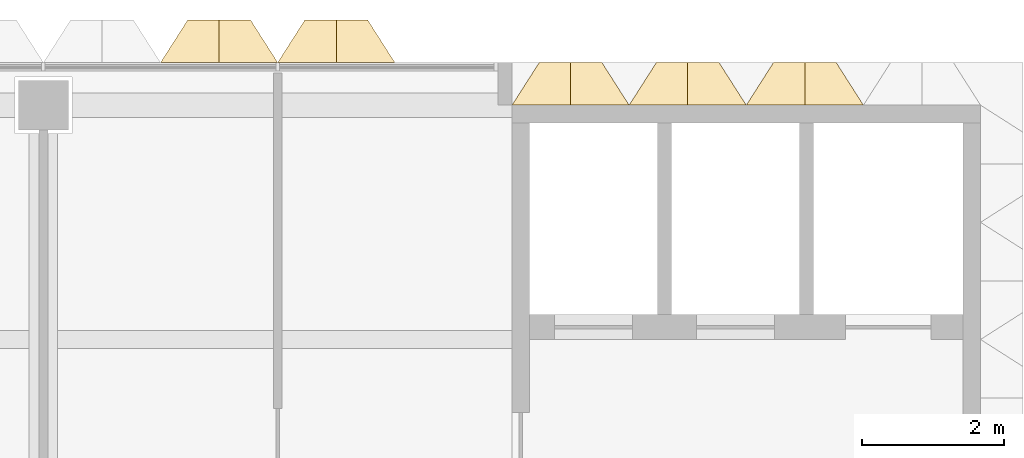
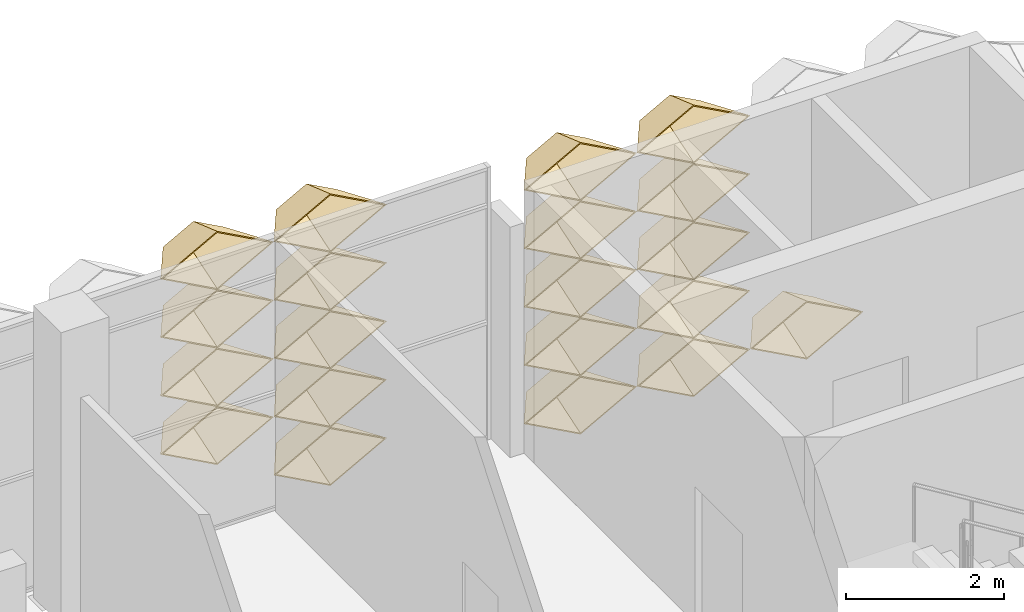
# One storey, part 27 of 29: 20 coverings.
"""IFC4 building model written with IfcOpenShell, lengths in metres."""

from ifc_helpers import new_model, entity, si_unit, direction, frame, origin, place, context, subcontext, project, spatial, material, layer, layer_set, type_object, element, save


model = new_model("IFC4")

# Units and contexts
model_context = context("Model", 3, precision=1e-05, world=origin(), true_north=direction((0.0, 1.0)))
body_context = subcontext(model_context, "Body", "Model", "MODEL_VIEW")
ifc_project = project(units=[si_unit("LENGTHUNIT", "METRE"), si_unit("AREAUNIT", "SQUARE_METRE"), si_unit("VOLUMEUNIT", "CUBIC_METRE"), si_unit("PLANEANGLEUNIT", "RADIAN"), si_unit("MASSUNIT", "GRAM", prefix="KILO")], contexts=[model_context])

# Site, building, storey
site_placement = place(None, origin())
site = spatial("IfcSite", under=ifc_project, at=site_placement, CompositionType="ELEMENT")
building_placement = place(site_placement, origin())
building = spatial("IfcBuilding", under=site, at=building_placement, Name="Lantern Court Research Institute", CompositionType="ELEMENT")
storey_placement = place(building_placement, frame((0.0, 0.0, 32.39990234375)))
storey = spatial("IfcBuildingStorey", under=building, at=storey_placement, Name="L07", CompositionType="ELEMENT", Elevation=32.39990234375)

# Coverings
ifc_material = material(Name="Anodised aluminium", Category="aluminium")
ifc_layer = layer(ifc_material, 0.01611328125)
ifc_layer_set = layer_set([ifc_layer], Name="Anodised aluminium")
covering_type = type_object("IfcCoveringType", Name="Fin cassette 1650 x 900 x 600 aluminium", PredefinedType="CLADDING", material=ifc_layer_set)
covering_1_placement = place(storey_placement, frame((73.425048828125, 23.10009765625, 0.4501953125), z_axis=(0.0, 1.0, 0.0), x_axis=(-1.0, 0.0, 0.0)))
cartesian_point_1 = entity("IfcCartesianPoint", [0.824951171875, 0.0])
cartesian_point_2 = entity("IfcCartesianPoint", [0.79150390625, 0.0])
cartesian_point_3 = entity("IfcCartesianPoint", [0.44189453125, 0.0])
cartesian_point_4 = entity("IfcCartesianPoint", [0.43359375, 0.0])
element("IfcCovering", 1, at=covering_1_placement, inside=storey, type_object=covering_type, Name="Fin cassette V5N-L07 1.45", PredefinedType="CLADDING", context=body_context, shape_type="SweptSolid", body=[
    entity("IfcExtrudedAreaSolidTapered", entity("IfcArbitraryProfileDefWithVoids", "AREA", None, entity("IfcPolyline", [cartesian_point_1, entity("IfcCartesianPoint", [0.0, 0.449951171875]), entity("IfcCartesianPoint", [-0.824951171875, 0.0]), entity("IfcCartesianPoint", [0.0, -0.449951171875]), cartesian_point_1]), [entity("IfcPolyline", [cartesian_point_2, entity("IfcCartesianPoint", [0.0, 0.431884765625]), entity("IfcCartesianPoint", [-0.79150390625, 0.0]), entity("IfcCartesianPoint", [0.0, -0.431884765625]), cartesian_point_2])]), entity("IfcAxis2Placement3D", entity("IfcCartesianPoint", [0.0, 0.0, 0.0])), entity("IfcDirection", [0.0, 0.0, 1.0]), 0.60009765625, entity("IfcArbitraryProfileDefWithVoids", "AREA", None, entity("IfcPolyline", [cartesian_point_3, entity("IfcCartesianPoint", [0.0, 0.240966796875]), entity("IfcCartesianPoint", [-0.44189453125, 0.0]), entity("IfcCartesianPoint", [0.0, -0.240966796875]), cartesian_point_3]), [entity("IfcPolyline", [cartesian_point_4, entity("IfcCartesianPoint", [0.0, 0.236572265625]), entity("IfcCartesianPoint", [-0.43359375, 0.0]), entity("IfcCartesianPoint", [0.0, -0.236572265625]), cartesian_point_4])])),
])
covering_2_placement = place(storey_placement, frame((75.074951171875, 23.10009765625, 0.4501953125), z_axis=(0.0, 1.0, 0.0), x_axis=(-1.0, 0.0, 0.0)))
cartesian_point_5 = entity("IfcCartesianPoint", [0.824951171875, 0.0])
cartesian_point_6 = entity("IfcCartesianPoint", [0.79150390625, 0.0])
cartesian_point_7 = entity("IfcCartesianPoint", [0.44189453125, 0.0])
cartesian_point_8 = entity("IfcCartesianPoint", [0.43359375, 0.0])
element("IfcCovering", 2, at=covering_2_placement, inside=storey, type_object=covering_type, Name="Fin cassette V5N-L07 1.46", PredefinedType="CLADDING", context=body_context, shape_type="SweptSolid", body=[
    entity("IfcExtrudedAreaSolidTapered", entity("IfcArbitraryProfileDefWithVoids", "AREA", None, entity("IfcPolyline", [cartesian_point_5, entity("IfcCartesianPoint", [0.0, 0.449951171875]), entity("IfcCartesianPoint", [-0.824951171875, 0.0]), entity("IfcCartesianPoint", [0.0, -0.449951171875]), cartesian_point_5]), [entity("IfcPolyline", [cartesian_point_6, entity("IfcCartesianPoint", [0.0, 0.431884765625]), entity("IfcCartesianPoint", [-0.79150390625, 0.0]), entity("IfcCartesianPoint", [0.0, -0.431884765625]), cartesian_point_6])]), entity("IfcAxis2Placement3D", entity("IfcCartesianPoint", [0.0, 0.0, 0.0])), entity("IfcDirection", [0.0, 0.0, 1.0]), 0.60009765625, entity("IfcArbitraryProfileDefWithVoids", "AREA", None, entity("IfcPolyline", [cartesian_point_7, entity("IfcCartesianPoint", [0.0, 0.240966796875]), entity("IfcCartesianPoint", [-0.44189453125, 0.0]), entity("IfcCartesianPoint", [0.0, -0.240966796875]), cartesian_point_7]), [entity("IfcPolyline", [cartesian_point_8, entity("IfcCartesianPoint", [0.0, 0.236572265625]), entity("IfcCartesianPoint", [-0.43359375, 0.0]), entity("IfcCartesianPoint", [0.0, -0.236572265625]), cartesian_point_8])])),
])
covering_3_placement = place(storey_placement, frame((76.72509765625, 23.10009765625, 0.4501953125), z_axis=(0.0, 1.0, 0.0), x_axis=(-1.0, 0.0, 0.0)))
cartesian_point_9 = entity("IfcCartesianPoint", [0.824951171875, 0.0])
cartesian_point_10 = entity("IfcCartesianPoint", [0.79150390625, 0.0])
cartesian_point_11 = entity("IfcCartesianPoint", [0.44189453125, 0.0])
cartesian_point_12 = entity("IfcCartesianPoint", [0.43359375, 0.0])
element("IfcCovering", 3, at=covering_3_placement, inside=storey, type_object=covering_type, Name="Fin cassette V5N-L07 1.47", PredefinedType="CLADDING", context=body_context, shape_type="SweptSolid", body=[
    entity("IfcExtrudedAreaSolidTapered", entity("IfcArbitraryProfileDefWithVoids", "AREA", None, entity("IfcPolyline", [cartesian_point_9, entity("IfcCartesianPoint", [0.0, 0.449951171875]), entity("IfcCartesianPoint", [-0.824951171875, 0.0]), entity("IfcCartesianPoint", [0.0, -0.449951171875]), cartesian_point_9]), [entity("IfcPolyline", [cartesian_point_10, entity("IfcCartesianPoint", [0.0, 0.431884765625]), entity("IfcCartesianPoint", [-0.79150390625, 0.0]), entity("IfcCartesianPoint", [0.0, -0.431884765625]), cartesian_point_10])]), entity("IfcAxis2Placement3D", entity("IfcCartesianPoint", [0.0, 0.0, 0.0])), entity("IfcDirection", [0.0, 0.0, 1.0]), 0.60009765625, entity("IfcArbitraryProfileDefWithVoids", "AREA", None, entity("IfcPolyline", [cartesian_point_11, entity("IfcCartesianPoint", [0.0, 0.240966796875]), entity("IfcCartesianPoint", [-0.44189453125, 0.0]), entity("IfcCartesianPoint", [0.0, -0.240966796875]), cartesian_point_11]), [entity("IfcPolyline", [cartesian_point_12, entity("IfcCartesianPoint", [0.0, 0.236572265625]), entity("IfcCartesianPoint", [-0.43359375, 0.0]), entity("IfcCartesianPoint", [0.0, -0.236572265625]), cartesian_point_12])])),
])
covering_4_placement = place(storey_placement, frame((73.425048828125, 23.10009765625, 1.35009765625), z_axis=(0.0, 1.0, 0.0), x_axis=(-1.0, 0.0, 0.0)))
cartesian_point_13 = entity("IfcCartesianPoint", [0.824951171875, 0.0])
cartesian_point_14 = entity("IfcCartesianPoint", [0.79150390625, 0.0])
cartesian_point_15 = entity("IfcCartesianPoint", [0.44189453125, 0.0])
cartesian_point_16 = entity("IfcCartesianPoint", [0.43359375, 0.0])
element("IfcCovering", 4, at=covering_4_placement, inside=storey, type_object=covering_type, Name="Fin cassette V5N-L07 2.45", PredefinedType="CLADDING", context=body_context, shape_type="SweptSolid", body=[
    entity("IfcExtrudedAreaSolidTapered", entity("IfcArbitraryProfileDefWithVoids", "AREA", None, entity("IfcPolyline", [cartesian_point_13, entity("IfcCartesianPoint", [0.0, 0.449951171875]), entity("IfcCartesianPoint", [-0.824951171875, 0.0]), entity("IfcCartesianPoint", [0.0, -0.449951171875]), cartesian_point_13]), [entity("IfcPolyline", [cartesian_point_14, entity("IfcCartesianPoint", [0.0, 0.431884765625]), entity("IfcCartesianPoint", [-0.79150390625, 0.0]), entity("IfcCartesianPoint", [0.0, -0.431884765625]), cartesian_point_14])]), entity("IfcAxis2Placement3D", entity("IfcCartesianPoint", [0.0, 0.0, 0.0])), entity("IfcDirection", [0.0, 0.0, 1.0]), 0.60009765625, entity("IfcArbitraryProfileDefWithVoids", "AREA", None, entity("IfcPolyline", [cartesian_point_15, entity("IfcCartesianPoint", [0.0, 0.240966796875]), entity("IfcCartesianPoint", [-0.44189453125, 0.0]), entity("IfcCartesianPoint", [0.0, -0.240966796875]), cartesian_point_15]), [entity("IfcPolyline", [cartesian_point_16, entity("IfcCartesianPoint", [0.0, 0.236572265625]), entity("IfcCartesianPoint", [-0.43359375, 0.0]), entity("IfcCartesianPoint", [0.0, -0.236572265625]), cartesian_point_16])])),
])
covering_5_placement = place(storey_placement, frame((75.074951171875, 23.10009765625, 1.35009765625), z_axis=(0.0, 1.0, 0.0), x_axis=(-1.0, 0.0, 0.0)))
cartesian_point_17 = entity("IfcCartesianPoint", [0.824951171875, 0.0])
cartesian_point_18 = entity("IfcCartesianPoint", [0.79150390625, 0.0])
cartesian_point_19 = entity("IfcCartesianPoint", [0.44189453125, 0.0])
cartesian_point_20 = entity("IfcCartesianPoint", [0.43359375, 0.0])
element("IfcCovering", 5, at=covering_5_placement, inside=storey, type_object=covering_type, Name="Fin cassette V5N-L07 2.46", PredefinedType="CLADDING", context=body_context, shape_type="SweptSolid", body=[
    entity("IfcExtrudedAreaSolidTapered", entity("IfcArbitraryProfileDefWithVoids", "AREA", None, entity("IfcPolyline", [cartesian_point_17, entity("IfcCartesianPoint", [0.0, 0.449951171875]), entity("IfcCartesianPoint", [-0.824951171875, 0.0]), entity("IfcCartesianPoint", [0.0, -0.449951171875]), cartesian_point_17]), [entity("IfcPolyline", [cartesian_point_18, entity("IfcCartesianPoint", [0.0, 0.431884765625]), entity("IfcCartesianPoint", [-0.79150390625, 0.0]), entity("IfcCartesianPoint", [0.0, -0.431884765625]), cartesian_point_18])]), entity("IfcAxis2Placement3D", entity("IfcCartesianPoint", [0.0, 0.0, 0.0])), entity("IfcDirection", [0.0, 0.0, 1.0]), 0.60009765625, entity("IfcArbitraryProfileDefWithVoids", "AREA", None, entity("IfcPolyline", [cartesian_point_19, entity("IfcCartesianPoint", [0.0, 0.240966796875]), entity("IfcCartesianPoint", [-0.44189453125, 0.0]), entity("IfcCartesianPoint", [0.0, -0.240966796875]), cartesian_point_19]), [entity("IfcPolyline", [cartesian_point_20, entity("IfcCartesianPoint", [0.0, 0.236572265625]), entity("IfcCartesianPoint", [-0.43359375, 0.0]), entity("IfcCartesianPoint", [0.0, -0.236572265625]), cartesian_point_20])])),
])
covering_6_placement = place(storey_placement, frame((73.425048828125, 23.10009765625, 2.25), z_axis=(0.0, 1.0, 0.0), x_axis=(-1.0, 0.0, 0.0)))
cartesian_point_21 = entity("IfcCartesianPoint", [0.824951171875, 0.0])
cartesian_point_22 = entity("IfcCartesianPoint", [0.79150390625, 0.0])
cartesian_point_23 = entity("IfcCartesianPoint", [0.44189453125, 0.0])
cartesian_point_24 = entity("IfcCartesianPoint", [0.43359375, 0.0])
element("IfcCovering", 6, at=covering_6_placement, inside=storey, type_object=covering_type, Name="Fin cassette V5N-L07 3.45", PredefinedType="CLADDING", context=body_context, shape_type="SweptSolid", body=[
    entity("IfcExtrudedAreaSolidTapered", entity("IfcArbitraryProfileDefWithVoids", "AREA", None, entity("IfcPolyline", [cartesian_point_21, entity("IfcCartesianPoint", [0.0, 0.449951171875]), entity("IfcCartesianPoint", [-0.824951171875, 0.0]), entity("IfcCartesianPoint", [0.0, -0.449951171875]), cartesian_point_21]), [entity("IfcPolyline", [cartesian_point_22, entity("IfcCartesianPoint", [0.0, 0.431884765625]), entity("IfcCartesianPoint", [-0.79150390625, 0.0]), entity("IfcCartesianPoint", [0.0, -0.431884765625]), cartesian_point_22])]), entity("IfcAxis2Placement3D", entity("IfcCartesianPoint", [0.0, 0.0, 0.0])), entity("IfcDirection", [0.0, 0.0, 1.0]), 0.60009765625, entity("IfcArbitraryProfileDefWithVoids", "AREA", None, entity("IfcPolyline", [cartesian_point_23, entity("IfcCartesianPoint", [0.0, 0.240966796875]), entity("IfcCartesianPoint", [-0.44189453125, 0.0]), entity("IfcCartesianPoint", [0.0, -0.240966796875]), cartesian_point_23]), [entity("IfcPolyline", [cartesian_point_24, entity("IfcCartesianPoint", [0.0, 0.236572265625]), entity("IfcCartesianPoint", [-0.43359375, 0.0]), entity("IfcCartesianPoint", [0.0, -0.236572265625]), cartesian_point_24])])),
])
covering_7_placement = place(storey_placement, frame((75.074951171875, 23.10009765625, 2.25), z_axis=(0.0, 1.0, 0.0), x_axis=(-1.0, 0.0, 0.0)))
cartesian_point_25 = entity("IfcCartesianPoint", [0.824951171875, 0.0])
cartesian_point_26 = entity("IfcCartesianPoint", [0.79150390625, 0.0])
cartesian_point_27 = entity("IfcCartesianPoint", [0.44189453125, 0.0])
cartesian_point_28 = entity("IfcCartesianPoint", [0.43359375, 0.0])
element("IfcCovering", 7, at=covering_7_placement, inside=storey, type_object=covering_type, Name="Fin cassette V5N-L07 3.46", PredefinedType="CLADDING", context=body_context, shape_type="SweptSolid", body=[
    entity("IfcExtrudedAreaSolidTapered", entity("IfcArbitraryProfileDefWithVoids", "AREA", None, entity("IfcPolyline", [cartesian_point_25, entity("IfcCartesianPoint", [0.0, 0.449951171875]), entity("IfcCartesianPoint", [-0.824951171875, 0.0]), entity("IfcCartesianPoint", [0.0, -0.449951171875]), cartesian_point_25]), [entity("IfcPolyline", [cartesian_point_26, entity("IfcCartesianPoint", [0.0, 0.431884765625]), entity("IfcCartesianPoint", [-0.79150390625, 0.0]), entity("IfcCartesianPoint", [0.0, -0.431884765625]), cartesian_point_26])]), entity("IfcAxis2Placement3D", entity("IfcCartesianPoint", [0.0, 0.0, 0.0])), entity("IfcDirection", [0.0, 0.0, 1.0]), 0.60009765625, entity("IfcArbitraryProfileDefWithVoids", "AREA", None, entity("IfcPolyline", [cartesian_point_27, entity("IfcCartesianPoint", [0.0, 0.240966796875]), entity("IfcCartesianPoint", [-0.44189453125, 0.0]), entity("IfcCartesianPoint", [0.0, -0.240966796875]), cartesian_point_27]), [entity("IfcPolyline", [cartesian_point_28, entity("IfcCartesianPoint", [0.0, 0.236572265625]), entity("IfcCartesianPoint", [-0.43359375, 0.0]), entity("IfcCartesianPoint", [0.0, -0.236572265625]), cartesian_point_28])])),
])
covering_8_placement = place(storey_placement, frame((73.425048828125, 23.10009765625, 3.150146484375), z_axis=(0.0, 1.0, 0.0), x_axis=(-1.0, 0.0, 0.0)))
cartesian_point_29 = entity("IfcCartesianPoint", [0.824951171875, 0.0])
cartesian_point_30 = entity("IfcCartesianPoint", [0.79150390625, 0.0])
cartesian_point_31 = entity("IfcCartesianPoint", [0.44189453125, 0.0])
cartesian_point_32 = entity("IfcCartesianPoint", [0.43359375, 0.0])
element("IfcCovering", 8, at=covering_8_placement, inside=storey, type_object=covering_type, Name="Fin cassette V5N-L07 4.45", PredefinedType="CLADDING", context=body_context, shape_type="SweptSolid", body=[
    entity("IfcExtrudedAreaSolidTapered", entity("IfcArbitraryProfileDefWithVoids", "AREA", None, entity("IfcPolyline", [cartesian_point_29, entity("IfcCartesianPoint", [0.0, 0.449951171875]), entity("IfcCartesianPoint", [-0.824951171875, 0.0]), entity("IfcCartesianPoint", [0.0, -0.449951171875]), cartesian_point_29]), [entity("IfcPolyline", [cartesian_point_30, entity("IfcCartesianPoint", [0.0, 0.431884765625]), entity("IfcCartesianPoint", [-0.79150390625, 0.0]), entity("IfcCartesianPoint", [0.0, -0.431884765625]), cartesian_point_30])]), entity("IfcAxis2Placement3D", entity("IfcCartesianPoint", [0.0, 0.0, 0.0])), entity("IfcDirection", [0.0, 0.0, 1.0]), 0.60009765625, entity("IfcArbitraryProfileDefWithVoids", "AREA", None, entity("IfcPolyline", [cartesian_point_31, entity("IfcCartesianPoint", [0.0, 0.240966796875]), entity("IfcCartesianPoint", [-0.44189453125, 0.0]), entity("IfcCartesianPoint", [0.0, -0.240966796875]), cartesian_point_31]), [entity("IfcPolyline", [cartesian_point_32, entity("IfcCartesianPoint", [0.0, 0.236572265625]), entity("IfcCartesianPoint", [-0.43359375, 0.0]), entity("IfcCartesianPoint", [0.0, -0.236572265625]), cartesian_point_32])])),
])
covering_9_placement = place(storey_placement, frame((75.074951171875, 23.10009765625, 3.150146484375), z_axis=(0.0, 1.0, 0.0), x_axis=(-1.0, 0.0, 0.0)))
cartesian_point_33 = entity("IfcCartesianPoint", [0.824951171875, 0.0])
cartesian_point_34 = entity("IfcCartesianPoint", [0.79150390625, 0.0])
cartesian_point_35 = entity("IfcCartesianPoint", [0.44189453125, 0.0])
cartesian_point_36 = entity("IfcCartesianPoint", [0.43359375, 0.0])
element("IfcCovering", 9, at=covering_9_placement, inside=storey, type_object=covering_type, Name="Fin cassette V5N-L07 4.46", PredefinedType="CLADDING", context=body_context, shape_type="SweptSolid", body=[
    entity("IfcExtrudedAreaSolidTapered", entity("IfcArbitraryProfileDefWithVoids", "AREA", None, entity("IfcPolyline", [cartesian_point_33, entity("IfcCartesianPoint", [0.0, 0.449951171875]), entity("IfcCartesianPoint", [-0.824951171875, 0.0]), entity("IfcCartesianPoint", [0.0, -0.449951171875]), cartesian_point_33]), [entity("IfcPolyline", [cartesian_point_34, entity("IfcCartesianPoint", [0.0, 0.431884765625]), entity("IfcCartesianPoint", [-0.79150390625, 0.0]), entity("IfcCartesianPoint", [0.0, -0.431884765625]), cartesian_point_34])]), entity("IfcAxis2Placement3D", entity("IfcCartesianPoint", [0.0, 0.0, 0.0])), entity("IfcDirection", [0.0, 0.0, 1.0]), 0.60009765625, entity("IfcArbitraryProfileDefWithVoids", "AREA", None, entity("IfcPolyline", [cartesian_point_35, entity("IfcCartesianPoint", [0.0, 0.240966796875]), entity("IfcCartesianPoint", [-0.44189453125, 0.0]), entity("IfcCartesianPoint", [0.0, -0.240966796875]), cartesian_point_35]), [entity("IfcPolyline", [cartesian_point_36, entity("IfcCartesianPoint", [0.0, 0.236572265625]), entity("IfcCartesianPoint", [-0.43359375, 0.0]), entity("IfcCartesianPoint", [0.0, -0.236572265625]), cartesian_point_36])])),
])
covering_10_placement = place(storey_placement, frame((73.425048828125, 23.10009765625, 4.050048828125), z_axis=(0.0, 1.0, 0.0), x_axis=(-1.0, 0.0, 0.0)))
cartesian_point_37 = entity("IfcCartesianPoint", [0.824951171875, 0.0])
cartesian_point_38 = entity("IfcCartesianPoint", [0.79150390625, 0.0])
cartesian_point_39 = entity("IfcCartesianPoint", [0.44189453125, 0.0])
cartesian_point_40 = entity("IfcCartesianPoint", [0.43359375, 0.0])
element("IfcCovering", 10, at=covering_10_placement, inside=storey, type_object=covering_type, Name="Fin cassette V5N-L07 5.45", PredefinedType="CLADDING", context=body_context, shape_type="SweptSolid", body=[
    entity("IfcExtrudedAreaSolidTapered", entity("IfcArbitraryProfileDefWithVoids", "AREA", None, entity("IfcPolyline", [cartesian_point_37, entity("IfcCartesianPoint", [0.0, 0.449951171875]), entity("IfcCartesianPoint", [-0.824951171875, 0.0]), entity("IfcCartesianPoint", [0.0, -0.449951171875]), cartesian_point_37]), [entity("IfcPolyline", [cartesian_point_38, entity("IfcCartesianPoint", [0.0, 0.431884765625]), entity("IfcCartesianPoint", [-0.79150390625, 0.0]), entity("IfcCartesianPoint", [0.0, -0.431884765625]), cartesian_point_38])]), entity("IfcAxis2Placement3D", entity("IfcCartesianPoint", [0.0, 0.0, 0.0])), entity("IfcDirection", [0.0, 0.0, 1.0]), 0.60009765625, entity("IfcArbitraryProfileDefWithVoids", "AREA", None, entity("IfcPolyline", [cartesian_point_39, entity("IfcCartesianPoint", [0.0, 0.240966796875]), entity("IfcCartesianPoint", [-0.44189453125, 0.0]), entity("IfcCartesianPoint", [0.0, -0.240966796875]), cartesian_point_39]), [entity("IfcPolyline", [cartesian_point_40, entity("IfcCartesianPoint", [0.0, 0.236572265625]), entity("IfcCartesianPoint", [-0.43359375, 0.0]), entity("IfcCartesianPoint", [0.0, -0.236572265625]), cartesian_point_40])])),
])
covering_11_placement = place(storey_placement, frame((75.074951171875, 23.10009765625, 4.050048828125), z_axis=(0.0, 1.0, 0.0), x_axis=(-1.0, 0.0, 0.0)))
cartesian_point_41 = entity("IfcCartesianPoint", [0.824951171875, 0.0])
cartesian_point_42 = entity("IfcCartesianPoint", [0.79150390625, 0.0])
cartesian_point_43 = entity("IfcCartesianPoint", [0.44189453125, 0.0])
cartesian_point_44 = entity("IfcCartesianPoint", [0.43359375, 0.0])
element("IfcCovering", 11, at=covering_11_placement, inside=storey, type_object=covering_type, Name="Fin cassette V5N-L07 5.46", PredefinedType="CLADDING", context=body_context, shape_type="SweptSolid", body=[
    entity("IfcExtrudedAreaSolidTapered", entity("IfcArbitraryProfileDefWithVoids", "AREA", None, entity("IfcPolyline", [cartesian_point_41, entity("IfcCartesianPoint", [0.0, 0.449951171875]), entity("IfcCartesianPoint", [-0.824951171875, 0.0]), entity("IfcCartesianPoint", [0.0, -0.449951171875]), cartesian_point_41]), [entity("IfcPolyline", [cartesian_point_42, entity("IfcCartesianPoint", [0.0, 0.431884765625]), entity("IfcCartesianPoint", [-0.79150390625, 0.0]), entity("IfcCartesianPoint", [0.0, -0.431884765625]), cartesian_point_42])]), entity("IfcAxis2Placement3D", entity("IfcCartesianPoint", [0.0, 0.0, 0.0])), entity("IfcDirection", [0.0, 0.0, 1.0]), 0.60009765625, entity("IfcArbitraryProfileDefWithVoids", "AREA", None, entity("IfcPolyline", [cartesian_point_43, entity("IfcCartesianPoint", [0.0, 0.240966796875]), entity("IfcCartesianPoint", [-0.44189453125, 0.0]), entity("IfcCartesianPoint", [0.0, -0.240966796875]), cartesian_point_43]), [entity("IfcPolyline", [cartesian_point_44, entity("IfcCartesianPoint", [0.0, 0.236572265625]), entity("IfcCartesianPoint", [-0.43359375, 0.0]), entity("IfcCartesianPoint", [0.0, -0.236572265625]), cartesian_point_44])])),
])
covering_12_placement = place(storey_placement, frame((70.125, 23.699951171875, 0.4501953125), z_axis=(0.0, 1.0, 0.0), x_axis=(-1.0, 0.0, 0.0)))
cartesian_point_45 = entity("IfcCartesianPoint", [0.824951171875, 0.0])
cartesian_point_46 = entity("IfcCartesianPoint", [0.79150390625, 0.0])
cartesian_point_47 = entity("IfcCartesianPoint", [0.44189453125, 0.0])
cartesian_point_48 = entity("IfcCartesianPoint", [0.43359375, 0.0])
element("IfcCovering", 12, at=covering_12_placement, inside=storey, type_object=covering_type, Name="Fin cassette V5N-L07 1.43", PredefinedType="CLADDING", context=body_context, shape_type="SweptSolid", body=[
    entity("IfcExtrudedAreaSolidTapered", entity("IfcArbitraryProfileDefWithVoids", "AREA", None, entity("IfcPolyline", [cartesian_point_45, entity("IfcCartesianPoint", [0.0, 0.449951171875]), entity("IfcCartesianPoint", [-0.824951171875, 0.0]), entity("IfcCartesianPoint", [0.0, -0.449951171875]), cartesian_point_45]), [entity("IfcPolyline", [cartesian_point_46, entity("IfcCartesianPoint", [0.0, 0.431884765625]), entity("IfcCartesianPoint", [-0.79150390625, 0.0]), entity("IfcCartesianPoint", [0.0, -0.431884765625]), cartesian_point_46])]), entity("IfcAxis2Placement3D", entity("IfcCartesianPoint", [0.0, 0.0, 0.0])), entity("IfcDirection", [0.0, 0.0, 1.0]), 0.60009765625, entity("IfcArbitraryProfileDefWithVoids", "AREA", None, entity("IfcPolyline", [cartesian_point_47, entity("IfcCartesianPoint", [0.0, 0.240966796875]), entity("IfcCartesianPoint", [-0.44189453125, 0.0]), entity("IfcCartesianPoint", [0.0, -0.240966796875]), cartesian_point_47]), [entity("IfcPolyline", [cartesian_point_48, entity("IfcCartesianPoint", [0.0, 0.236572265625]), entity("IfcCartesianPoint", [-0.43359375, 0.0]), entity("IfcCartesianPoint", [0.0, -0.236572265625]), cartesian_point_48])])),
])
covering_13_placement = place(storey_placement, frame((68.47509765625, 23.699951171875, 1.35009765625), z_axis=(0.0, 1.0, 0.0), x_axis=(-1.0, 0.0, 0.0)))
cartesian_point_49 = entity("IfcCartesianPoint", [0.824951171875, 0.0])
cartesian_point_50 = entity("IfcCartesianPoint", [0.79150390625, 0.0])
cartesian_point_51 = entity("IfcCartesianPoint", [0.44189453125, 0.0])
cartesian_point_52 = entity("IfcCartesianPoint", [0.43359375, 0.0])
element("IfcCovering", 13, at=covering_13_placement, inside=storey, type_object=covering_type, Name="Fin cassette V5N-L07 2.42", PredefinedType="CLADDING", context=body_context, shape_type="SweptSolid", body=[
    entity("IfcExtrudedAreaSolidTapered", entity("IfcArbitraryProfileDefWithVoids", "AREA", None, entity("IfcPolyline", [cartesian_point_49, entity("IfcCartesianPoint", [0.0, 0.449951171875]), entity("IfcCartesianPoint", [-0.824951171875, 0.0]), entity("IfcCartesianPoint", [0.0, -0.449951171875]), cartesian_point_49]), [entity("IfcPolyline", [cartesian_point_50, entity("IfcCartesianPoint", [0.0, 0.431884765625]), entity("IfcCartesianPoint", [-0.79150390625, 0.0]), entity("IfcCartesianPoint", [0.0, -0.431884765625]), cartesian_point_50])]), entity("IfcAxis2Placement3D", entity("IfcCartesianPoint", [0.0, 0.0, 0.0])), entity("IfcDirection", [0.0, 0.0, 1.0]), 0.60009765625, entity("IfcArbitraryProfileDefWithVoids", "AREA", None, entity("IfcPolyline", [cartesian_point_51, entity("IfcCartesianPoint", [0.0, 0.240966796875]), entity("IfcCartesianPoint", [-0.44189453125, 0.0]), entity("IfcCartesianPoint", [0.0, -0.240966796875]), cartesian_point_51]), [entity("IfcPolyline", [cartesian_point_52, entity("IfcCartesianPoint", [0.0, 0.236572265625]), entity("IfcCartesianPoint", [-0.43359375, 0.0]), entity("IfcCartesianPoint", [0.0, -0.236572265625]), cartesian_point_52])])),
])
covering_14_placement = place(storey_placement, frame((70.125, 23.699951171875, 1.35009765625), z_axis=(0.0, 1.0, 0.0), x_axis=(-1.0, 0.0, 0.0)))
cartesian_point_53 = entity("IfcCartesianPoint", [0.824951171875, 0.0])
cartesian_point_54 = entity("IfcCartesianPoint", [0.79150390625, 0.0])
cartesian_point_55 = entity("IfcCartesianPoint", [0.44189453125, 0.0])
cartesian_point_56 = entity("IfcCartesianPoint", [0.43359375, 0.0])
element("IfcCovering", 14, at=covering_14_placement, inside=storey, type_object=covering_type, Name="Fin cassette V5N-L07 2.43", PredefinedType="CLADDING", context=body_context, shape_type="SweptSolid", body=[
    entity("IfcExtrudedAreaSolidTapered", entity("IfcArbitraryProfileDefWithVoids", "AREA", None, entity("IfcPolyline", [cartesian_point_53, entity("IfcCartesianPoint", [0.0, 0.449951171875]), entity("IfcCartesianPoint", [-0.824951171875, 0.0]), entity("IfcCartesianPoint", [0.0, -0.449951171875]), cartesian_point_53]), [entity("IfcPolyline", [cartesian_point_54, entity("IfcCartesianPoint", [0.0, 0.431884765625]), entity("IfcCartesianPoint", [-0.79150390625, 0.0]), entity("IfcCartesianPoint", [0.0, -0.431884765625]), cartesian_point_54])]), entity("IfcAxis2Placement3D", entity("IfcCartesianPoint", [0.0, 0.0, 0.0])), entity("IfcDirection", [0.0, 0.0, 1.0]), 0.60009765625, entity("IfcArbitraryProfileDefWithVoids", "AREA", None, entity("IfcPolyline", [cartesian_point_55, entity("IfcCartesianPoint", [0.0, 0.240966796875]), entity("IfcCartesianPoint", [-0.44189453125, 0.0]), entity("IfcCartesianPoint", [0.0, -0.240966796875]), cartesian_point_55]), [entity("IfcPolyline", [cartesian_point_56, entity("IfcCartesianPoint", [0.0, 0.236572265625]), entity("IfcCartesianPoint", [-0.43359375, 0.0]), entity("IfcCartesianPoint", [0.0, -0.236572265625]), cartesian_point_56])])),
])
covering_15_placement = place(storey_placement, frame((68.47509765625, 23.699951171875, 2.25), z_axis=(0.0, 1.0, 0.0), x_axis=(-1.0, 0.0, 0.0)))
cartesian_point_57 = entity("IfcCartesianPoint", [0.824951171875, 0.0])
cartesian_point_58 = entity("IfcCartesianPoint", [0.79150390625, 0.0])
cartesian_point_59 = entity("IfcCartesianPoint", [0.44189453125, 0.0])
cartesian_point_60 = entity("IfcCartesianPoint", [0.43359375, 0.0])
element("IfcCovering", 15, at=covering_15_placement, inside=storey, type_object=covering_type, Name="Fin cassette V5N-L07 3.42", PredefinedType="CLADDING", context=body_context, shape_type="SweptSolid", body=[
    entity("IfcExtrudedAreaSolidTapered", entity("IfcArbitraryProfileDefWithVoids", "AREA", None, entity("IfcPolyline", [cartesian_point_57, entity("IfcCartesianPoint", [0.0, 0.449951171875]), entity("IfcCartesianPoint", [-0.824951171875, 0.0]), entity("IfcCartesianPoint", [0.0, -0.449951171875]), cartesian_point_57]), [entity("IfcPolyline", [cartesian_point_58, entity("IfcCartesianPoint", [0.0, 0.431884765625]), entity("IfcCartesianPoint", [-0.79150390625, 0.0]), entity("IfcCartesianPoint", [0.0, -0.431884765625]), cartesian_point_58])]), entity("IfcAxis2Placement3D", entity("IfcCartesianPoint", [0.0, 0.0, 0.0])), entity("IfcDirection", [0.0, 0.0, 1.0]), 0.60009765625, entity("IfcArbitraryProfileDefWithVoids", "AREA", None, entity("IfcPolyline", [cartesian_point_59, entity("IfcCartesianPoint", [0.0, 0.240966796875]), entity("IfcCartesianPoint", [-0.44189453125, 0.0]), entity("IfcCartesianPoint", [0.0, -0.240966796875]), cartesian_point_59]), [entity("IfcPolyline", [cartesian_point_60, entity("IfcCartesianPoint", [0.0, 0.236572265625]), entity("IfcCartesianPoint", [-0.43359375, 0.0]), entity("IfcCartesianPoint", [0.0, -0.236572265625]), cartesian_point_60])])),
])
covering_16_placement = place(storey_placement, frame((70.125, 23.699951171875, 2.25), z_axis=(0.0, 1.0, 0.0), x_axis=(-1.0, 0.0, 0.0)))
cartesian_point_61 = entity("IfcCartesianPoint", [0.824951171875, 0.0])
cartesian_point_62 = entity("IfcCartesianPoint", [0.79150390625, 0.0])
cartesian_point_63 = entity("IfcCartesianPoint", [0.44189453125, 0.0])
cartesian_point_64 = entity("IfcCartesianPoint", [0.43359375, 0.0])
element("IfcCovering", 16, at=covering_16_placement, inside=storey, type_object=covering_type, Name="Fin cassette V5N-L07 3.43", PredefinedType="CLADDING", context=body_context, shape_type="SweptSolid", body=[
    entity("IfcExtrudedAreaSolidTapered", entity("IfcArbitraryProfileDefWithVoids", "AREA", None, entity("IfcPolyline", [cartesian_point_61, entity("IfcCartesianPoint", [0.0, 0.449951171875]), entity("IfcCartesianPoint", [-0.824951171875, 0.0]), entity("IfcCartesianPoint", [0.0, -0.449951171875]), cartesian_point_61]), [entity("IfcPolyline", [cartesian_point_62, entity("IfcCartesianPoint", [0.0, 0.431884765625]), entity("IfcCartesianPoint", [-0.79150390625, 0.0]), entity("IfcCartesianPoint", [0.0, -0.431884765625]), cartesian_point_62])]), entity("IfcAxis2Placement3D", entity("IfcCartesianPoint", [0.0, 0.0, 0.0])), entity("IfcDirection", [0.0, 0.0, 1.0]), 0.60009765625, entity("IfcArbitraryProfileDefWithVoids", "AREA", None, entity("IfcPolyline", [cartesian_point_63, entity("IfcCartesianPoint", [0.0, 0.240966796875]), entity("IfcCartesianPoint", [-0.44189453125, 0.0]), entity("IfcCartesianPoint", [0.0, -0.240966796875]), cartesian_point_63]), [entity("IfcPolyline", [cartesian_point_64, entity("IfcCartesianPoint", [0.0, 0.236572265625]), entity("IfcCartesianPoint", [-0.43359375, 0.0]), entity("IfcCartesianPoint", [0.0, -0.236572265625]), cartesian_point_64])])),
])
covering_17_placement = place(storey_placement, frame((68.47509765625, 23.699951171875, 3.150146484375), z_axis=(0.0, 1.0, 0.0), x_axis=(-1.0, 0.0, 0.0)))
cartesian_point_65 = entity("IfcCartesianPoint", [0.824951171875, 0.0])
cartesian_point_66 = entity("IfcCartesianPoint", [0.79150390625, 0.0])
cartesian_point_67 = entity("IfcCartesianPoint", [0.44189453125, 0.0])
cartesian_point_68 = entity("IfcCartesianPoint", [0.43359375, 0.0])
element("IfcCovering", 17, at=covering_17_placement, inside=storey, type_object=covering_type, Name="Fin cassette V5N-L07 4.42", PredefinedType="CLADDING", context=body_context, shape_type="SweptSolid", body=[
    entity("IfcExtrudedAreaSolidTapered", entity("IfcArbitraryProfileDefWithVoids", "AREA", None, entity("IfcPolyline", [cartesian_point_65, entity("IfcCartesianPoint", [0.0, 0.449951171875]), entity("IfcCartesianPoint", [-0.824951171875, 0.0]), entity("IfcCartesianPoint", [0.0, -0.449951171875]), cartesian_point_65]), [entity("IfcPolyline", [cartesian_point_66, entity("IfcCartesianPoint", [0.0, 0.431884765625]), entity("IfcCartesianPoint", [-0.79150390625, 0.0]), entity("IfcCartesianPoint", [0.0, -0.431884765625]), cartesian_point_66])]), entity("IfcAxis2Placement3D", entity("IfcCartesianPoint", [0.0, 0.0, 0.0])), entity("IfcDirection", [0.0, 0.0, 1.0]), 0.60009765625, entity("IfcArbitraryProfileDefWithVoids", "AREA", None, entity("IfcPolyline", [cartesian_point_67, entity("IfcCartesianPoint", [0.0, 0.240966796875]), entity("IfcCartesianPoint", [-0.44189453125, 0.0]), entity("IfcCartesianPoint", [0.0, -0.240966796875]), cartesian_point_67]), [entity("IfcPolyline", [cartesian_point_68, entity("IfcCartesianPoint", [0.0, 0.236572265625]), entity("IfcCartesianPoint", [-0.43359375, 0.0]), entity("IfcCartesianPoint", [0.0, -0.236572265625]), cartesian_point_68])])),
])
covering_18_placement = place(storey_placement, frame((70.125, 23.699951171875, 3.150146484375), z_axis=(0.0, 1.0, 0.0), x_axis=(-1.0, 0.0, 0.0)))
cartesian_point_69 = entity("IfcCartesianPoint", [0.824951171875, 0.0])
cartesian_point_70 = entity("IfcCartesianPoint", [0.79150390625, 0.0])
cartesian_point_71 = entity("IfcCartesianPoint", [0.44189453125, 0.0])
cartesian_point_72 = entity("IfcCartesianPoint", [0.43359375, 0.0])
element("IfcCovering", 18, at=covering_18_placement, inside=storey, type_object=covering_type, Name="Fin cassette V5N-L07 4.43", PredefinedType="CLADDING", context=body_context, shape_type="SweptSolid", body=[
    entity("IfcExtrudedAreaSolidTapered", entity("IfcArbitraryProfileDefWithVoids", "AREA", None, entity("IfcPolyline", [cartesian_point_69, entity("IfcCartesianPoint", [0.0, 0.449951171875]), entity("IfcCartesianPoint", [-0.824951171875, 0.0]), entity("IfcCartesianPoint", [0.0, -0.449951171875]), cartesian_point_69]), [entity("IfcPolyline", [cartesian_point_70, entity("IfcCartesianPoint", [0.0, 0.431884765625]), entity("IfcCartesianPoint", [-0.79150390625, 0.0]), entity("IfcCartesianPoint", [0.0, -0.431884765625]), cartesian_point_70])]), entity("IfcAxis2Placement3D", entity("IfcCartesianPoint", [0.0, 0.0, 0.0])), entity("IfcDirection", [0.0, 0.0, 1.0]), 0.60009765625, entity("IfcArbitraryProfileDefWithVoids", "AREA", None, entity("IfcPolyline", [cartesian_point_71, entity("IfcCartesianPoint", [0.0, 0.240966796875]), entity("IfcCartesianPoint", [-0.44189453125, 0.0]), entity("IfcCartesianPoint", [0.0, -0.240966796875]), cartesian_point_71]), [entity("IfcPolyline", [cartesian_point_72, entity("IfcCartesianPoint", [0.0, 0.236572265625]), entity("IfcCartesianPoint", [-0.43359375, 0.0]), entity("IfcCartesianPoint", [0.0, -0.236572265625]), cartesian_point_72])])),
])
covering_19_placement = place(storey_placement, frame((68.47509765625, 23.699951171875, 4.050048828125), z_axis=(0.0, 1.0, 0.0), x_axis=(-1.0, 0.0, 0.0)))
cartesian_point_73 = entity("IfcCartesianPoint", [0.824951171875, 0.0])
cartesian_point_74 = entity("IfcCartesianPoint", [0.79150390625, 0.0])
cartesian_point_75 = entity("IfcCartesianPoint", [0.44189453125, 0.0])
cartesian_point_76 = entity("IfcCartesianPoint", [0.43359375, 0.0])
element("IfcCovering", 19, at=covering_19_placement, inside=storey, type_object=covering_type, Name="Fin cassette V5N-L07 5.42", PredefinedType="CLADDING", context=body_context, shape_type="SweptSolid", body=[
    entity("IfcExtrudedAreaSolidTapered", entity("IfcArbitraryProfileDefWithVoids", "AREA", None, entity("IfcPolyline", [cartesian_point_73, entity("IfcCartesianPoint", [0.0, 0.449951171875]), entity("IfcCartesianPoint", [-0.824951171875, 0.0]), entity("IfcCartesianPoint", [0.0, -0.449951171875]), cartesian_point_73]), [entity("IfcPolyline", [cartesian_point_74, entity("IfcCartesianPoint", [0.0, 0.431884765625]), entity("IfcCartesianPoint", [-0.79150390625, 0.0]), entity("IfcCartesianPoint", [0.0, -0.431884765625]), cartesian_point_74])]), entity("IfcAxis2Placement3D", entity("IfcCartesianPoint", [0.0, 0.0, 0.0])), entity("IfcDirection", [0.0, 0.0, 1.0]), 0.60009765625, entity("IfcArbitraryProfileDefWithVoids", "AREA", None, entity("IfcPolyline", [cartesian_point_75, entity("IfcCartesianPoint", [0.0, 0.240966796875]), entity("IfcCartesianPoint", [-0.44189453125, 0.0]), entity("IfcCartesianPoint", [0.0, -0.240966796875]), cartesian_point_75]), [entity("IfcPolyline", [cartesian_point_76, entity("IfcCartesianPoint", [0.0, 0.236572265625]), entity("IfcCartesianPoint", [-0.43359375, 0.0]), entity("IfcCartesianPoint", [0.0, -0.236572265625]), cartesian_point_76])])),
])
covering_20_placement = place(storey_placement, frame((70.125, 23.699951171875, 4.050048828125), z_axis=(0.0, 1.0, 0.0), x_axis=(-1.0, 0.0, 0.0)))
cartesian_point_77 = entity("IfcCartesianPoint", [0.824951171875, 0.0])
cartesian_point_78 = entity("IfcCartesianPoint", [0.79150390625, 0.0])
cartesian_point_79 = entity("IfcCartesianPoint", [0.44189453125, 0.0])
cartesian_point_80 = entity("IfcCartesianPoint", [0.43359375, 0.0])
element("IfcCovering", 20, at=covering_20_placement, inside=storey, type_object=covering_type, Name="Fin cassette V5N-L07 5.43", PredefinedType="CLADDING", context=body_context, shape_type="SweptSolid", body=[
    entity("IfcExtrudedAreaSolidTapered", entity("IfcArbitraryProfileDefWithVoids", "AREA", None, entity("IfcPolyline", [cartesian_point_77, entity("IfcCartesianPoint", [0.0, 0.449951171875]), entity("IfcCartesianPoint", [-0.824951171875, 0.0]), entity("IfcCartesianPoint", [0.0, -0.449951171875]), cartesian_point_77]), [entity("IfcPolyline", [cartesian_point_78, entity("IfcCartesianPoint", [0.0, 0.431884765625]), entity("IfcCartesianPoint", [-0.79150390625, 0.0]), entity("IfcCartesianPoint", [0.0, -0.431884765625]), cartesian_point_78])]), entity("IfcAxis2Placement3D", entity("IfcCartesianPoint", [0.0, 0.0, 0.0])), entity("IfcDirection", [0.0, 0.0, 1.0]), 0.60009765625, entity("IfcArbitraryProfileDefWithVoids", "AREA", None, entity("IfcPolyline", [cartesian_point_79, entity("IfcCartesianPoint", [0.0, 0.240966796875]), entity("IfcCartesianPoint", [-0.44189453125, 0.0]), entity("IfcCartesianPoint", [0.0, -0.240966796875]), cartesian_point_79]), [entity("IfcPolyline", [cartesian_point_80, entity("IfcCartesianPoint", [0.0, 0.236572265625]), entity("IfcCartesianPoint", [-0.43359375, 0.0]), entity("IfcCartesianPoint", [0.0, -0.236572265625]), cartesian_point_80])])),
])

save(model, "model.ifc")
